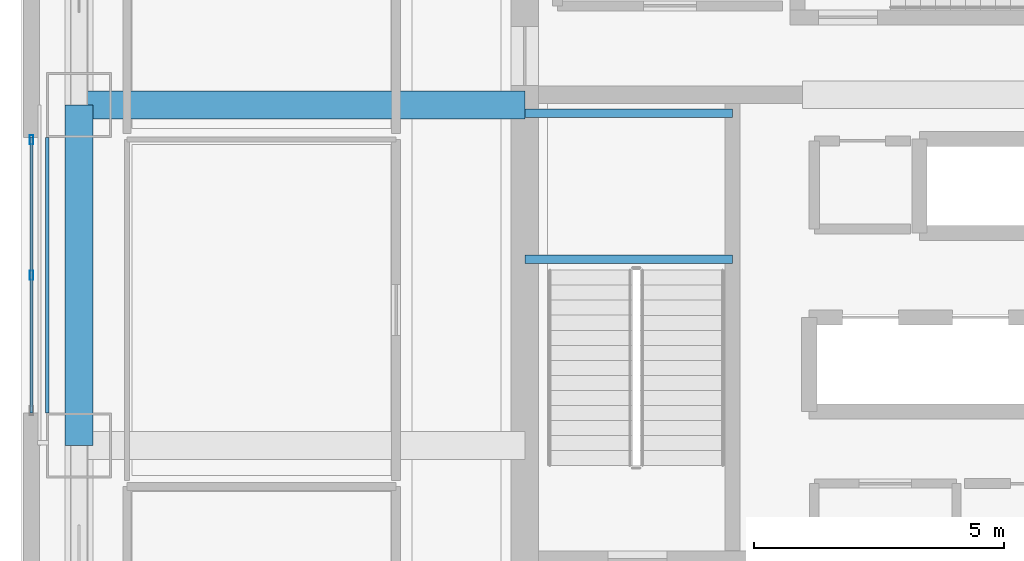
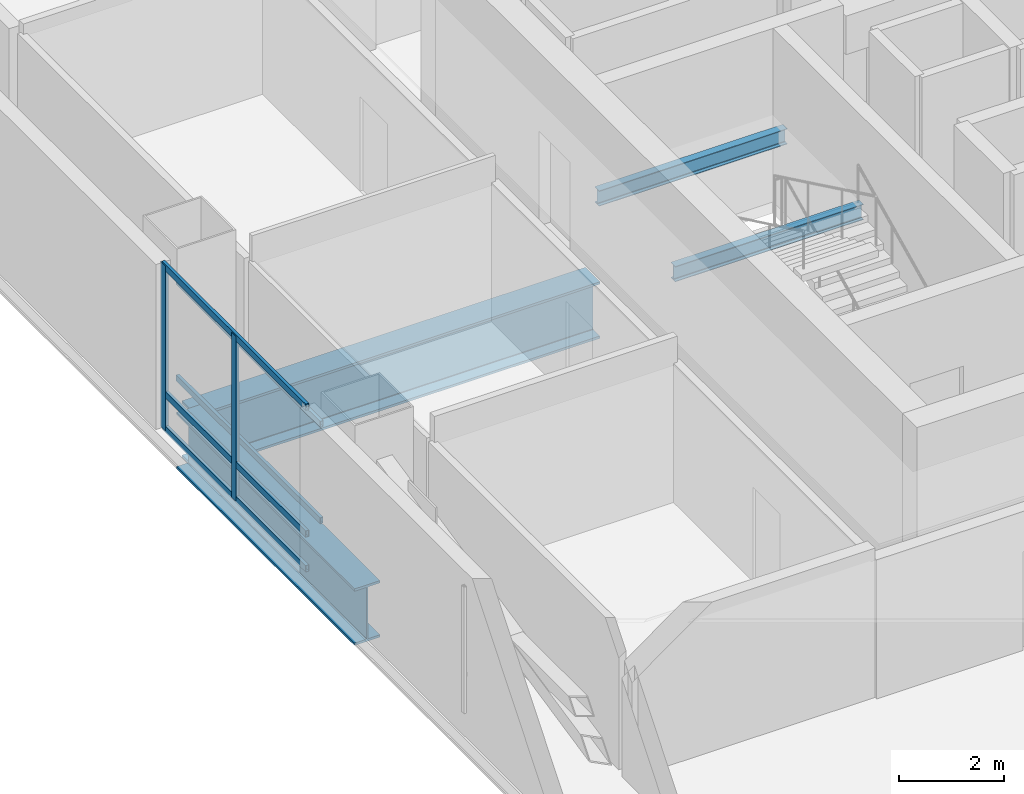
# One storey, part 5 of 30: 7 members, 4 beams, 1 element without a shape of its own.
"""IFC4 building model written with IfcOpenShell, lengths in metres."""

from ifc_helpers import new_model, si_unit, direction, frame, origin, origin_2d, place, context, subcontext, project, spatial, hollow_rectangle, i_section, extrude, material, material_profile, profile_set, type_object, element, aggregate, save


model = new_model("IFC4")

# Units and contexts
model_context = context("Model", 3, precision=1e-05, world=origin(), true_north=direction((0.0, 1.0)))
body_context = subcontext(model_context, "Body", "Model", "MODEL_VIEW")
ifc_project = project(units=[si_unit("LENGTHUNIT", "METRE"), si_unit("AREAUNIT", "SQUARE_METRE"), si_unit("VOLUMEUNIT", "CUBIC_METRE"), si_unit("PLANEANGLEUNIT", "RADIAN"), si_unit("MASSUNIT", "GRAM", prefix="KILO")], contexts=[model_context])

# Site, building, storey
site_placement = place(None, origin())
site = spatial("IfcSite", under=ifc_project, at=site_placement, CompositionType="ELEMENT")
building_placement = place(site_placement, origin())
building = spatial("IfcBuilding", under=site, at=building_placement, Name="Punatoya Terracotta Tower", CompositionType="ELEMENT")
storey_placement = place(building_placement, frame((0.0, 0.0, 251.39990234375)))
storey = spatial("IfcBuildingStorey", under=building, at=storey_placement, Name="L59", CompositionType="ELEMENT", Elevation=251.39990234375)

# Beams
ifc_material_1 = material(Name="Steel S355", Category="steel")
ifc_material_profile_1 = material_profile(ifc_material_1, i_section(OverallWidth=0.169921875, OverallDepth=0.360107421875, WebThickness=0.008056640625, FlangeThickness=0.0126953125, FilletRadius=0.01806640625, at=origin_2d()))
ifc_profile_set_1 = profile_set([ifc_material_profile_1], Name="Steel S355")
beam_type_1 = type_object("IfcBeamType", Name="BM-SEC-360", PredefinedType="JOIST", material=ifc_profile_set_1)
for number, where, z_axis, x_axis, name in (
    (1, (-10.199951171875, 0.320068359375, 1.64501953125), (1.0, 0.0, 0.0), (0.0, 1.0, 0.0), "BM-L59-ST-1-LD1A"),
    (2, (-10.199951171875, 3.22998046875, 1.64501953125), (1.0, 0.0, 0.0), (0.0, 1.0, 0.0), "BM-L59-ST-1-LD1B"),
):
    element("IfcBeam", number, at=place(storey_placement, frame(where, z_axis=z_axis, x_axis=x_axis)), inside=storey, type_object=beam_type_1, Name=name, PredefinedType="JOIST", context=body_context, shape_type="SweptSolid", body=[
        extrude(i_section(OverallWidth=0.169921875, OverallDepth=0.360107421875, WebThickness=0.008056640625, FlangeThickness=0.0126953125, FilletRadius=0.01806640625, at=origin_2d()), origin(), (0.0, 0.0, 1.0), 4.14990234375),
    ])
ifc_material_2 = material(Name="Steel S460", Category="steel")
ifc_material_profile_2 = material_profile(ifc_material_2, i_section(OverallWidth=0.56005859375, OverallDepth=1.320068359375, WebThickness=0.035888671875, FlangeThickness=0.054931640625, FilletRadius=0.01806640625, at=origin_2d()))
ifc_profile_set_2 = profile_set([ifc_material_profile_2], Name="Steel S460")
beam_type_2 = type_object("IfcBeamType", Name="BM-TG-BLK", PredefinedType="BEAM", material=ifc_profile_set_2)
beam_1_placement = place(storey_placement, frame((-19.10009765625, -3.39990234375, -0.93994140625), z_axis=(0.0, 1.0, 0.0), x_axis=(-1.0, 0.0, 0.0)))
element("IfcBeam", 3, at=beam_1_placement, inside=storey, type_object=beam_type_2, Name="BM-L59-RG-W2", PredefinedType="BEAM", context=body_context, shape_type="SweptSolid", body=[
    extrude(i_section(OverallWidth=0.56005859375, OverallDepth=1.320068359375, WebThickness=0.035888671875, FlangeThickness=0.054931640625, FilletRadius=0.01806640625, at=origin_2d()), origin(), (0.0, 0.0, 1.0), 6.7998046875),
])
beam_2_placement = place(storey_placement, frame((-19.10009765625, 3.39990234375, -0.93994140625), z_axis=(1.0, 0.0, 0.0), x_axis=(0.0, 1.0, 0.0)))
element("IfcBeam", 4, at=beam_2_placement, inside=storey, type_object=beam_type_2, Name="BM-L59-PR-WE", PredefinedType="BEAM", context=body_context, shape_type="SweptSolid", body=[
    extrude(i_section(OverallWidth=0.56005859375, OverallDepth=1.320068359375, WebThickness=0.035888671875, FlangeThickness=0.054931640625, FilletRadius=0.01806640625, at=origin_2d()), origin(), (0.0, 0.0, 1.0), 8.900146484375),
])

# Curtain wall, members
ifc_material_3 = material(Name="Aluminium 6063-T6 + Double Low-E Glass", Category="aluminium")
curtain_wall_type = type_object("IfcCurtainWallType", Name="CW-M3", PredefinedType="NOTDEFINED", material=ifc_material_3)
curtain_wall_placement = place(storey_placement, origin())
curtain_wall = element("IfcCurtainWall", 5, at=curtain_wall_placement, inside=storey, type_object=curtain_wall_type, Name="L59 Curtain Wall CW-L59-W13-1", PredefinedType="NOTDEFINED")
ifc_material_4 = material(Name="Aluminium 6063-T6", Category="aluminium")
ifc_material_profile_3 = material_profile(ifc_material_4, hollow_rectangle(XDim=0.070068359375, YDim=0.179931640625, WallThickness=0.00390625, at=origin_2d()))
ifc_profile_set_3 = profile_set([ifc_material_profile_3], Name="Aluminium 6063-T6")
member_type_1 = type_object("IfcMemberType", Name="CW-MUL-M3", PredefinedType="MULLION", material=ifc_profile_set_3)
member_1_placement = place(storey_placement, frame((-20.050048828125, 2.705078125, 0.0), z_axis=(0.0, 0.0, 1.0), x_axis=(1.0, 0.0, 0.0)))
member_1 = element("IfcMember", 6, at=member_1_placement, type_object=member_type_1, Name="CW-L59-W13-1 Mullion 00", PredefinedType="MULLION", context=body_context, shape_type="SweptSolid", body=[
    extrude(hollow_rectangle(XDim=0.070068359375, YDim=0.179931640625, WallThickness=0.00390625, at=origin_2d()), origin(), (0.0, 0.0, 1.0), 3.85009765625),
])
member_2_placement = place(storey_placement, frame((-20.050048828125, 0.0, 0.0), z_axis=(0.0, 0.0, 1.0), x_axis=(1.0, 0.0, 0.0)))
member_2 = element("IfcMember", 7, at=member_2_placement, type_object=member_type_1, Name="CW-L59-W13-1 Mullion 01", PredefinedType="MULLION", context=body_context, shape_type="SweptSolid", body=[
    extrude(hollow_rectangle(XDim=0.070068359375, YDim=0.179931640625, WallThickness=0.00390625, at=origin_2d()), origin(), (0.0, 0.0, 1.0), 3.85009765625),
])
ifc_material_profile_4 = material_profile(ifc_material_4, hollow_rectangle(XDim=0.068115234375, YDim=0.14990234375, WallThickness=0.00390625, at=origin_2d()))
ifc_profile_set_4 = profile_set([ifc_material_profile_4], Name="Aluminium 6063-T6")
member_type_2 = type_object("IfcMemberType", Name="CW-TRN-TYP", PredefinedType="USERDEFINED", material=ifc_profile_set_4)
member_3_placement = place(storey_placement, frame((-20.050048828125, 2.75, 0.0400390625), z_axis=(0.0, -1.0, 0.0), x_axis=(1.0, 0.0, 0.0)))
member_3 = element("IfcMember", 8, at=member_3_placement, type_object=member_type_2, Name="CW-L59-W13-1 Transom 1", ObjectType="TRANSOM", PredefinedType="USERDEFINED", context=body_context, shape_type="SweptSolid", body=[
    extrude(hollow_rectangle(XDim=0.068115234375, YDim=0.14990234375, WallThickness=0.00390625, at=origin_2d()), origin(), (0.0, 0.0, 1.0), 5.5),
])
member_4_placement = place(storey_placement, frame((-20.050048828125, 2.75, 0.85009765625), z_axis=(0.0, -1.0, 0.0), x_axis=(1.0, 0.0, 0.0)))
member_4 = element("IfcMember", 9, at=member_4_placement, type_object=member_type_2, Name="CW-L59-W13-1 Transom 2", ObjectType="TRANSOM", PredefinedType="USERDEFINED", context=body_context, shape_type="SweptSolid", body=[
    extrude(hollow_rectangle(XDim=0.068115234375, YDim=0.14990234375, WallThickness=0.00390625, at=origin_2d()), origin(), (0.0, 0.0, 1.0), 5.5),
])
member_5_placement = place(storey_placement, frame((-20.050048828125, 2.75, 3.81005859375), z_axis=(0.0, -1.0, 0.0), x_axis=(1.0, 0.0, 0.0)))
member_5 = element("IfcMember", 10, at=member_5_placement, type_object=member_type_2, Name="CW-L59-W13-1 Transom 3", ObjectType="TRANSOM", PredefinedType="USERDEFINED", context=body_context, shape_type="SweptSolid", body=[
    extrude(hollow_rectangle(XDim=0.068115234375, YDim=0.14990234375, WallThickness=0.00390625, at=origin_2d()), origin(), (0.0, 0.0, 1.0), 5.5),
])
aggregate(curtain_wall, [member_1, member_2, member_3, member_4, member_5])

# Members
ifc_material_profile_5 = material_profile(ifc_material_1, hollow_rectangle(XDim=0.070068359375, YDim=0.139892578125, WallThickness=0.006103515625, at=origin_2d()))
ifc_profile_set_5 = profile_set([ifc_material_profile_5], Name="Steel S355")
member_type_3 = type_object("IfcMemberType", Name="MEM-BAG-RAIL", PredefinedType="USERDEFINED", material=ifc_profile_set_5)
for number, where, z_axis, x_axis, name in (
    (11, (-19.73193359375, -2.75048828125, 1.050048828125), (0.0, 1.0, 0.0), (-1.0, 0.0, 0.0), "L59 Terracotta Baguette Carrier Rail BAG-L59-W-R1"),
    (12, (-19.73193359375, -2.75048828125, 3.300048828125), (0.0, 1.0, 0.0), (-1.0, 0.0, 0.0), "L59 Terracotta Baguette Carrier Rail BAG-L59-W-R2"),
):
    element("IfcMember", number, at=place(storey_placement, frame(where, z_axis=z_axis, x_axis=x_axis)), inside=storey, type_object=member_type_3, Name=name, ObjectType="BAGUETTE", PredefinedType="USERDEFINED", context=body_context, shape_type="SweptSolid", body=[
        extrude(hollow_rectangle(XDim=0.070068359375, YDim=0.139892578125, WallThickness=0.006103515625, at=origin_2d()), origin(), (0.0, 0.0, 1.0), 5.5009765625),
    ])

save(model, "model.ifc")
